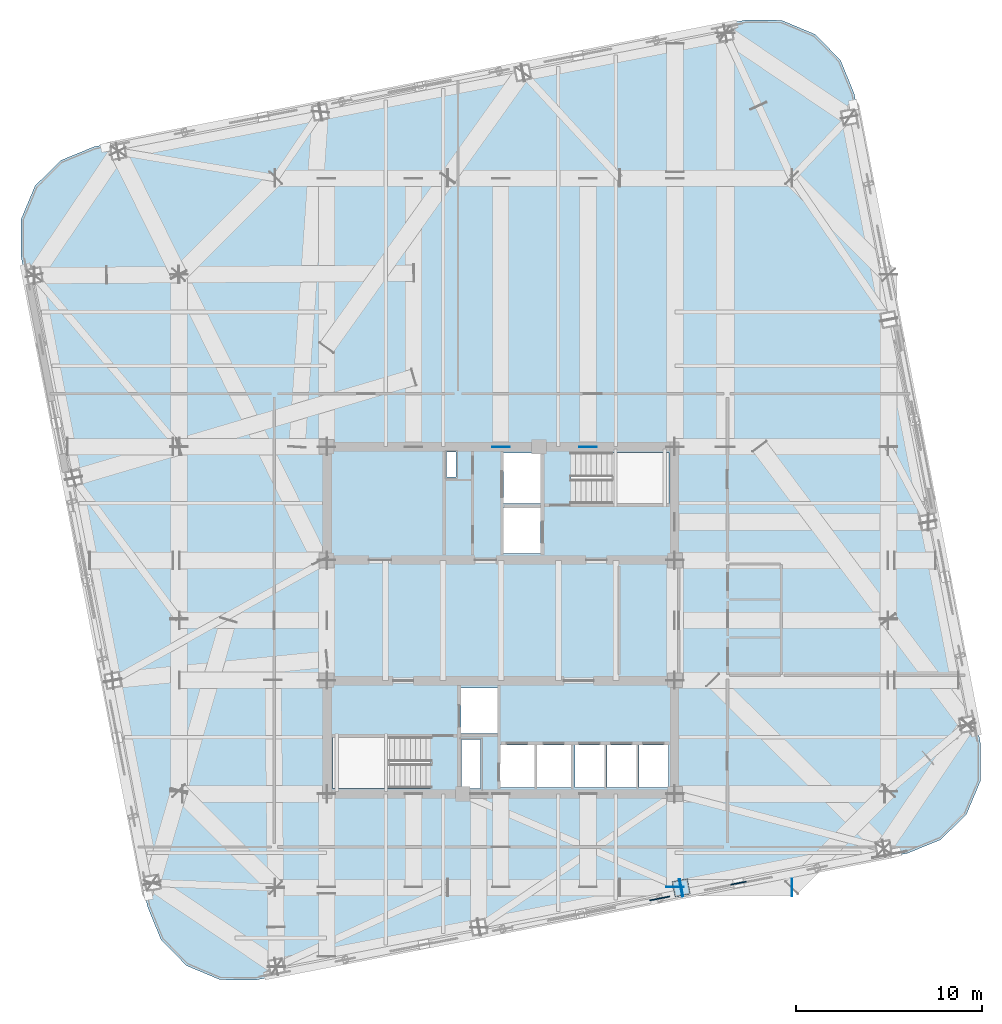
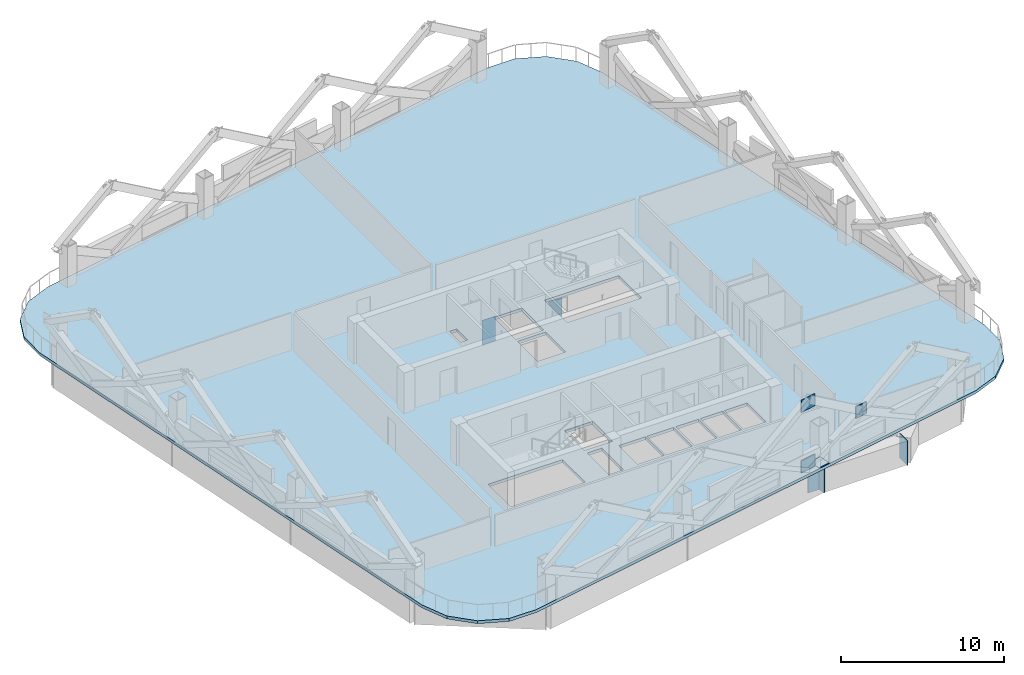
# One storey, part 6 of 14: 10 plates, 1 slab.
"""IFC4 building model written with IfcOpenShell, lengths in metres."""

from ifc_helpers import new_model, si_unit, direction, frame, origin, origin_2d, place, context, subcontext, project, spatial, polyline, rectangle, outline, extrude, material, layer, layer_set, type_object, element, save


model = new_model("IFC4")

# Units and contexts
model_context = context("Model", 3, precision=1e-05, world=origin(), true_north=direction((0.0, 1.0)))
body_context = subcontext(model_context, "Body", "Model", "MODEL_VIEW")
ifc_project = project(units=[si_unit("LENGTHUNIT", "METRE"), si_unit("AREAUNIT", "SQUARE_METRE"), si_unit("VOLUMEUNIT", "CUBIC_METRE"), si_unit("PLANEANGLEUNIT", "RADIAN"), si_unit("MASSUNIT", "GRAM", prefix="KILO")], contexts=[model_context])

# Site, building, storey
site_placement = place(None, origin())
site = spatial("IfcSite", under=ifc_project, at=site_placement, CompositionType="ELEMENT")
building_placement = place(site_placement, origin())
building = spatial("IfcBuilding", under=site, at=building_placement, Name="Qhalaya Broadcast Tower", CompositionType="ELEMENT")
storey_placement = place(building_placement, frame((0.0, 0.0, 112.800048828125)))
storey = spatial("IfcBuildingStorey", under=building, at=storey_placement, Name="L32", CompositionType="ELEMENT", Elevation=112.800048828125)

# Plates
ifc_material_1 = material(Name="Structural Steel ASTM A572 Grade 50", Category="steel")
ifc_layer_1 = layer(ifc_material_1, 0.054931640625, Name="Structural Steel ASTM A572 Grade 50")
ifc_layer_set_1 = layer_set([ifc_layer_1], Name="Structural Steel ASTM A572 Grade 50")
plate_type_1 = type_object("IfcPlateType", Name="Exoskeleton Diamond Node Gusset Plate NP-01", PredefinedType="USERDEFINED", material=ifc_layer_set_1)
for number, where, z_axis, x_axis, name in (
    (1, (8.562744140625, -14.370361328125, 0.2099609375), (0.0, 0.0, 1.0), (0.981627183448, 0.190808995377, 0.0), "Exoskeleton Diamond Node B3-S3-BOT"),
    (2, (8.562744140625, -14.370361328125, 4.75), (0.0, 0.0, 1.0), (0.981627183448, 0.190808995377, 0.0), "Exoskeleton Diamond Node B3-S3-TOP"),
):
    element("IfcPlate", number, at=place(storey_placement, frame(where, z_axis=z_axis, x_axis=x_axis)), inside=storey, type_object=plate_type_1, Name=name, ObjectType="GUSSET_PLATE", PredefinedType="USERDEFINED", context=body_context, shape_type="SweptSolid", body=[
        extrude(rectangle(XDim=1.10009765625, YDim=0.054931640625, at=origin_2d()), origin(), (0.0, 0.0, 1.0), 0.89990234375),
    ])
plate_1_placement = place(storey_placement, frame((12.7958984375, -13.54736328125, 2.264892578125), z_axis=(0.0, 0.0, 1.0), x_axis=(0.981627183448, 0.190808995377, 0.0)))
element("IfcPlate", 3, at=plate_1_placement, inside=storey, type_object=plate_type_1, Name="Exoskeleton Diamond Node B3-S4-MDL", ObjectType="GUSSET_PLATE", PredefinedType="USERDEFINED", context=body_context, shape_type="SweptSolid", body=[
    extrude(rectangle(XDim=0.85009765625, YDim=0.054931640625, at=origin_2d()), origin(), (0.0, 0.0, 1.0), 0.85009765625),
])
ifc_layer_2 = layer(ifc_material_1, 0.4599609375, Name="Structural Steel ASTM A572 Grade 50")
ifc_layer_set_2 = layer_set([ifc_layer_2], Name="Structural Steel ASTM A572 Grade 50")
plate_type_2 = type_object("IfcPlateType", Name="Hollow Box Member End Cap Plate CP-01", PredefinedType="USERDEFINED", material=ifc_layer_set_2)
for number, where, z_axis, x_axis, name in (
    (4, (9.728271484375, -13.79736328125, -2.0400390625), (0.0, 0.0, 1.0), (-0.190808995377, 0.981627183448, 0.0), "L32 Hollow Girder End Cap L32-SPR-02-B"),
    (5, (9.697021484375, -13.803466796875, -2.0400390625), (0.0, 0.0, 1.0), (-0.190808995377, 0.981627183448, 0.0), "L32 Hollow Girder End Cap L32-SPR-03-A"),
    (6, (15.68603515625, -13.7900390625, -2.0400390625), (0.0, 0.0, 1.0), (0.0, 1.0, 0.0), "L32 Hollow Girder End Cap L32-TGL-03-B"),
    (7, (0.0, 9.93408203125, -2.0400390625), (0.0, 0.0, 1.0), (-1.0, 0.0, 0.0), "L32 Hollow Girder End Cap L32-TGIMN-1-A"),
    (8, (4.699951171875, 9.93408203125, -2.0400390625), (0.0, 0.0, 1.0), (-1.0, 0.0, 0.0), "L32 Hollow Girder End Cap L32-TGIMNE-1-A"),
    (9, (9.375, -13.76611328125, -2.0400390625), (0.0, 0.0, 1.0), (-1.0, 0.0, 0.0), "L32 Hollow Girder End Cap L32-TGISE-1-A"),
):
    element("IfcPlate", number, at=place(storey_placement, frame(where, z_axis=z_axis, x_axis=x_axis)), inside=storey, type_object=plate_type_2, Name=name, ObjectType="COVER_PLATE", PredefinedType="USERDEFINED", context=body_context, shape_type="SweptSolid", body=[
        extrude(rectangle(XDim=0.93994140625, YDim=0.031982421875, at=origin_2d()), origin(), (0.0, 0.0, 1.0), 1.840087890625),
    ])
plate_2_placement = place(storey_placement, frame((9.712646484375, -13.80029296875, -0.0322265625), z_axis=(0.0, 0.0, 1.0), x_axis=(0.981627183448, 0.190808995377, 0.0)))
element("IfcPlate", 10, at=plate_2_placement, inside=storey, type_object=plate_type_2, Name="L32 Hollow Box Column Base Cap Plate COL-EX03", ObjectType="COVER_PLATE", PredefinedType="USERDEFINED", context=body_context, shape_type="SweptSolid", body=[
    extrude(rectangle(XDim=0.840087890625, YDim=0.840087890625, at=origin_2d()), origin(), (0.0, 0.0, 1.0), 0.031982421875),
])

# Slab
ifc_material_2 = material(Name="Concrete C40/50", Category="concrete")
ifc_layer_3 = layer(ifc_material_2, 0.219970703125, Name="Concrete C40/50")
ifc_layer_set_3 = layer_set([ifc_layer_3], Name="Concrete C40/50")
slab_type = type_object("IfcSlabType", Name="Tower Composite Floor Slab 220", PredefinedType="FLOOR", material=ifc_layer_set_3)
slab_placement = place(storey_placement, frame((0.0, 0.0, -0.219970703125)))
element("IfcSlab", 11, at=slab_placement, inside=storey, type_object=slab_type, Name="L32 Main Structural Floor Slab", PredefinedType="FLOOR", context=body_context, shape_type="SweptSolid", body=[
    extrude(outline(polyline([(21.882080078125, -11.944091796875), (23.687744140625, -11.20556640625), (25.0732421875, -9.83203125), (25.82763671875, -8.032958984375), (25.836181640625, -6.08203125), (19.024169921875, 28.9619140625), (18.285400390625, 30.767578125), (16.912109375, 32.1533203125), (15.11279296875, 32.90771484375), (13.162109375, 32.916015625), (-21.882080078125, 26.104248046875), (-23.687744140625, 25.365478515625), (-25.0732421875, 23.9921875), (-25.82763671875, 22.19287109375), (-25.836181640625, 20.2421875), (-19.024169921875, -14.802001953125), (-18.285400390625, -16.607666015625), (-16.912109375, -17.9931640625), (-15.11279296875, -18.74755859375), (-13.162109375, -18.756103515625), (21.882080078125, -11.944091796875)]), holes=[polyline([(3.784912109375, 9.639892578125), (9.050048828125, 9.639892578125), (9.050048828125, 6.8798828125), (3.784912109375, 6.8798828125), (3.784912109375, 9.639892578125)]), polyline([(-3.784912109375, -8.43994140625), (-9.050048828125, -8.43994140625), (-9.050048828125, -5.679931640625), (-3.784912109375, -5.679931640625), (-3.784912109375, -8.43994140625)]), polyline([(0.14990234375, 6.64990234375), (2.14990234375, 6.64990234375), (2.14990234375, 4.199951171875), (0.14990234375, 4.199951171875), (0.14990234375, 6.64990234375)]), polyline([(0.14990234375, 9.60009765625), (2.14990234375, 9.60009765625), (2.14990234375, 6.89990234375), (0.14990234375, 6.89990234375), (0.14990234375, 9.60009765625)]), polyline([(-2.14990234375, -3.050048828125), (-0.14990234375, -3.050048828125), (-0.14990234375, -5.5), (-2.14990234375, -5.5), (-2.14990234375, -3.050048828125)]), polyline([(-0.050048828125, -6.10009765625), (1.830078125, -6.10009765625), (1.830078125, -8.39990234375), (-0.050048828125, -8.39990234375), (-0.050048828125, -6.10009765625)]), polyline([(1.949951171875, -6.10009765625), (3.830078125, -6.10009765625), (3.830078125, -8.39990234375), (1.949951171875, -8.39990234375), (1.949951171875, -6.10009765625)]), polyline([(4.0, -6.10009765625), (5.60009765625, -6.10009765625), (5.60009765625, -8.39990234375), (4.0, -8.39990234375), (4.0, -6.10009765625)]), polyline([(5.719970703125, -6.10009765625), (7.320068359375, -6.10009765625), (7.320068359375, -8.39990234375), (5.719970703125, -8.39990234375), (5.719970703125, -6.10009765625)]), polyline([(7.43994140625, -6.10009765625), (9.0400390625, -6.10009765625), (9.0400390625, -8.39990234375), (7.43994140625, -8.39990234375), (7.43994140625, -6.10009765625)]), polyline([(-2.919921875, 9.659912109375), (-2.419921875, 9.659912109375), (-2.419921875, 8.320068359375), (-2.919921875, 8.320068359375), (-2.919921875, 9.659912109375)]), polyline([(-2.1201171875, -5.820068359375), (-1.080078125, -5.820068359375), (-1.080078125, -8.4599609375), (-2.1201171875, -8.4599609375), (-2.1201171875, -5.820068359375)])]), origin(), (0.0, 0.0, 1.0), 0.219970703125),
])

save(model, "model.ifc")
